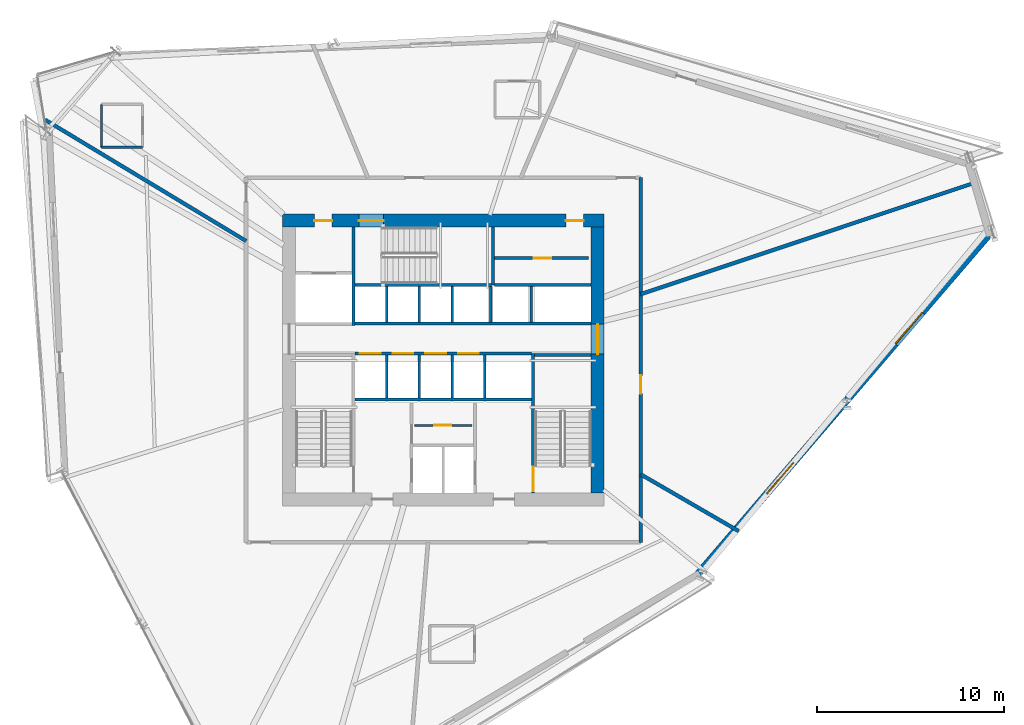
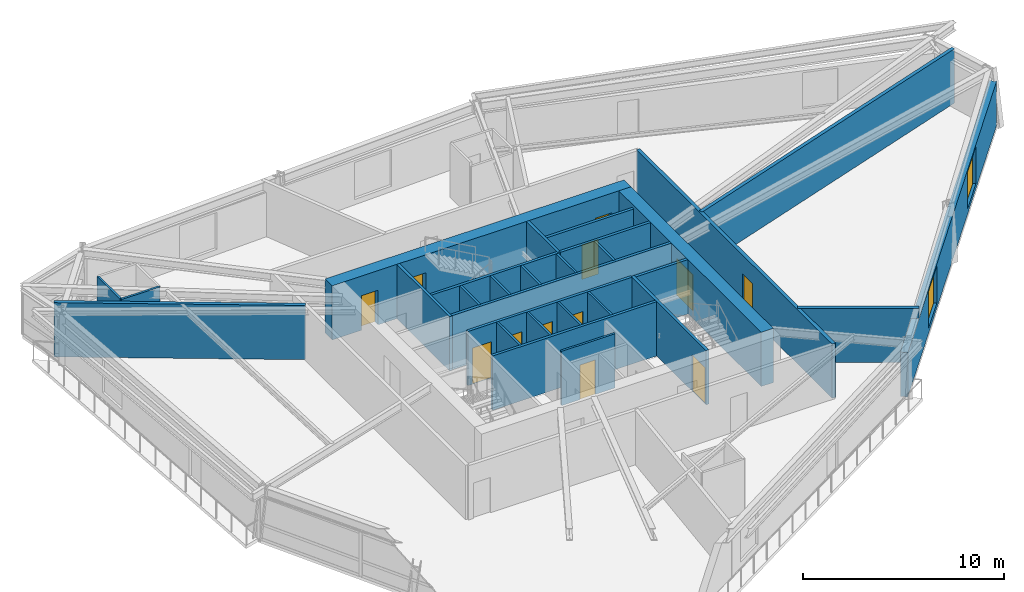
# One storey, part 14 of 19: 29 walls, 12 doors, 2 windows, 14 openings.
"""IFC4 building model written with IfcOpenShell, lengths in metres."""

from ifc_helpers import new_model, si_unit, direction, frame, frame_2d, origin, place, context, subcontext, project, spatial, rectangle, extrude, source, transform, mapped, material, layer, layer_set, type_object, type_shapes, element, fill, save


model = new_model("IFC4")

# Units and contexts
model_context = context("Model", 3, precision=1e-05, world=origin(), true_north=direction((0.0, 1.0)))
body_context = subcontext(model_context, "Body", "Model", "MODEL_VIEW")
ifc_project = project(units=[si_unit("LENGTHUNIT", "METRE"), si_unit("AREAUNIT", "SQUARE_METRE"), si_unit("VOLUMEUNIT", "CUBIC_METRE"), si_unit("PLANEANGLEUNIT", "RADIAN"), si_unit("MASSUNIT", "GRAM", prefix="KILO")], contexts=[model_context])

# Site, building, storey
site_placement = place(None, origin())
site = spatial("IfcSite", under=ifc_project, at=site_placement, CompositionType="ELEMENT")
building_placement = place(site_placement, origin())
building = spatial("IfcBuilding", under=site, at=building_placement, Name="Olszyna Solenne Hotel", CompositionType="ELEMENT")
storey_placement = place(building_placement, frame((0.0, 0.0, 102.14990234375)))
storey = spatial("IfcBuildingStorey", under=building, at=storey_placement, Name="L26", CompositionType="ELEMENT", Elevation=102.14990234375)

# Wall, openings, doors
ifc_material_1 = material(Name="Concrete C60/75", Category="concrete")
ifc_layer_1 = layer(ifc_material_1, 0.699951171875, Name="Concrete C60/75")
ifc_layer_set_1 = layer_set([ifc_layer_1], Name="Concrete C60/75")
wall_type_1 = type_object("IfcWallType", Name="WL-CR700", PredefinedType="SHEAR", material=ifc_layer_set_1)
wall_1_placement = place(storey_placement, frame((29.39990234375, 34.050048828125, 0.0), z_axis=(0.0, 0.0, 1.0), x_axis=(1.0, 0.0, 0.0)))
wall_1 = element("IfcWall", 1, at=wall_1_placement, inside=storey, type_object=wall_type_1, Name="Core shear wall WL-CR700 CRW-L26-N", PredefinedType="SHEAR", context=body_context, shape_type="SweptSolid", body=[
    extrude(rectangle(XDim=17.2001953125, YDim=0.699951171875, at=frame_2d((8.60009765625, 0.0))), origin(), (0.0, 0.0, 1.0), 3.300048828125),
])
opening_1_placement = place(wall_1_placement, frame((1.699951171875, 0.0, 0.0)))
opening_1 = element("IfcOpeningElement", 2, at=opening_1_placement, cuts=wall_1, Name="Opening SVD-L26-01", PredefinedType="OPENING", context=body_context, shape_type="SweptSolid", body=[
    extrude(rectangle(XDim=0.949951171875, YDim=2.10009765625, at=frame_2d((0.47509765625, 1.050048828125))), frame((0.0, 0.35986328125, 0.0), z_axis=(0.0, -1.0, 0.0), x_axis=(1.0, 0.0, 0.0)), (0.0, 0.0, 1.0), 0.719970703125),
])
opening_2_placement = place(wall_1_placement, frame((4.080078125, 0.0, 0.0)))
opening_2 = element("IfcOpeningElement", 3, at=opening_2_placement, cuts=wall_1, Name="Opening STD-L26-03", PredefinedType="OPENING", context=body_context, shape_type="SweptSolid", body=[
    extrude(rectangle(XDim=1.320068359375, YDim=2.199951171875, at=frame_2d((0.66015625, 1.10009765625))), frame((0.0, 0.35986328125, 0.0), z_axis=(0.0, -1.0, 0.0), x_axis=(1.0, 0.0, 0.0)), (0.0, 0.0, 1.0), 0.719970703125),
])
opening_3_placement = place(wall_1_placement, frame((15.14990234375, 0.0, 0.0)))
opening_3 = element("IfcOpeningElement", 4, at=opening_3_placement, cuts=wall_1, Name="Opening SVD-L26-BN", PredefinedType="OPENING", context=body_context, shape_type="SweptSolid", body=[
    extrude(rectangle(XDim=0.949951171875, YDim=2.10009765625, at=frame_2d((0.47509765625, 1.050048828125))), frame((0.0, 0.35986328125, 0.0), z_axis=(0.0, -1.0, 0.0), x_axis=(1.0, 0.0, 0.0)), (0.0, 0.0, 1.0), 0.719970703125),
])
ifc_material_2 = material(Name="Steel S355J2", Category="steel")
door_type_1 = type_object("IfcDoorType", Name="DR-ST1", OperationType="NOTDEFINED", PredefinedType="DOOR", material=ifc_material_2)
shared_shape_1 = source(origin(), body_context, "Body", "SweptSolid", [
    extrude(rectangle(XDim=1.320068359375, YDim=2.199951171875, at=frame_2d((0.66015625, 1.10009765625))), frame((0.0, 0.02490234375, 0.0), z_axis=(0.0, -1.0, 0.0), x_axis=(1.0, 0.0, 0.0)), (0.0, 0.0, 1.0), 0.050048828125),
])
type_shapes(door_type_1, [shared_shape_1])
door_1_placement = place(opening_2_placement, origin())
door_1 = element("IfcDoor", 5, at=door_1_placement, inside=storey, type_object=door_type_1, Name="Pressurised exit stair ST3 fire door STD-L26-03", OperationType="SINGLE_SWING_RIGHT", OverallHeight=2.199951171875, OverallWidth=1.320068359375, PredefinedType="DOOR", context=body_context, shape_type="MappedRepresentation", body=[
    mapped(shared_shape_1, transform((0.0, 0.0, 0.0), x_axis=(1.0, 0.0, 0.0), y_axis=(0.0, 1.0, 0.0), z_axis=(0.0, 0.0, 1.0), scale=1.0)),
])
fill(opening_2, door_1)
door_type_2 = type_object("IfcDoorType", Name="DR-SV1", OperationType="NOTDEFINED", PredefinedType="DOOR", material=ifc_material_2)
shared_shape_2 = source(origin(), body_context, "Body", "SweptSolid", [
    extrude(rectangle(XDim=0.949951171875, YDim=2.10009765625, at=frame_2d((0.47509765625, 1.050048828125))), frame((0.0, 0.02490234375, 0.0), z_axis=(0.0, -1.0, 0.0), x_axis=(1.0, 0.0, 0.0)), (0.0, 0.0, 1.0), 0.050048828125),
])
type_shapes(door_type_2, [shared_shape_2])
door_2_placement = place(opening_1_placement, origin())
door_2 = element("IfcDoor", 6, at=door_2_placement, inside=storey, type_object=door_type_2, Name="Service lift lobby fire door SVD-L26-01", OperationType="SINGLE_SWING_LEFT", OverallHeight=2.10009765625, OverallWidth=0.949951171875, PredefinedType="DOOR", context=body_context, shape_type="MappedRepresentation", body=[
    mapped(shared_shape_2, transform((0.0, 0.0, 0.0), x_axis=(1.0, 0.0, 0.0), y_axis=(0.0, 1.0, 0.0), z_axis=(0.0, 0.0, 1.0), scale=1.0)),
])
fill(opening_1, door_2)
door_3_placement = place(opening_3_placement, origin())
door_3 = element("IfcDoor", 7, at=door_3_placement, inside=storey, type_object=door_type_2, Name="Housekeeping core fire door SVD-L26-BN", OperationType="SINGLE_SWING_LEFT", OverallHeight=2.10009765625, OverallWidth=0.949951171875, PredefinedType="DOOR", context=body_context, shape_type="MappedRepresentation", body=[
    mapped(shared_shape_2, transform((0.0, 0.0, 0.0), x_axis=(1.0, 0.0, 0.0), y_axis=(0.0, 1.0, 0.0), z_axis=(0.0, 0.0, 1.0), scale=1.0)),
])
fill(opening_3, door_3)

# Wall, opening, door
wall_2_placement = place(storey_placement, frame((46.25, 33.699951171875, 0.0), z_axis=(0.0, 0.0, 1.0), x_axis=(0.0, -1.0, 0.0)))
wall_2 = element("IfcWall", 8, at=wall_2_placement, inside=storey, type_object=wall_type_1, Name="Core shear wall WL-CR700 CRW-L26-E", PredefinedType="SHEAR", context=body_context, shape_type="SweptSolid", body=[
    extrude(rectangle(XDim=14.199951171875, YDim=0.699951171875, at=frame_2d((7.10009765625, 0.0))), origin(), (0.0, 0.0, 1.0), 3.300048828125),
])
opening_4_placement = place(wall_2_placement, frame((5.179931640625, 0.0, 0.0)))
opening_4 = element("IfcOpeningElement", 9, at=opening_4_placement, cuts=wall_2, Name="Opening LHD-L26-E", PredefinedType="OPENING", context=body_context, shape_type="SweptSolid", body=[
    extrude(rectangle(XDim=1.60009765625, YDim=2.199951171875, at=frame_2d((0.800048828125, 1.10009765625))), frame((0.0, 0.35986328125, 0.0), z_axis=(0.0, -1.0, 0.0), x_axis=(1.0, 0.0, 0.0)), (0.0, 0.0, 1.0), 0.719970703125),
])
ifc_material_3 = material(Name="Timber hardwood", Category="wood")
door_type_3 = type_object("IfcDoorType", Name="DR-CR1", OperationType="DOUBLE_DOOR_SINGLE_SWING", PredefinedType="DOOR", material=ifc_material_3)
shared_shape_3 = source(origin(), body_context, "Body", "SweptSolid", [
    extrude(rectangle(XDim=1.60009765625, YDim=2.199951171875, at=frame_2d((0.800048828125, 1.10009765625))), frame((0.0, 0.02490234375, 0.0), z_axis=(0.0, -1.0, 0.0), x_axis=(1.0, 0.0, 0.0)), (0.0, 0.0, 1.0), 0.050048828125),
])
type_shapes(door_type_3, [shared_shape_3])
door_4_placement = place(opening_4_placement, origin())
door_4 = element("IfcDoor", 10, at=door_4_placement, inside=storey, type_object=door_type_3, Name="Passenger lift lobby East fire door LHD-L26-E", OperationType="DOUBLE_DOOR_SINGLE_SWING", OverallHeight=2.199951171875, OverallWidth=1.60009765625, PredefinedType="DOOR", context=body_context, shape_type="MappedRepresentation", body=[
    mapped(shared_shape_3, transform((0.0, 0.0, 0.0), x_axis=(1.0, 0.0, 0.0), y_axis=(0.0, 1.0, 0.0), z_axis=(0.0, 0.0, 1.0), scale=1.0)),
])
fill(opening_4, door_4)

# Wall, openings, windows
ifc_material_4 = material(Name="Terracotta cladding on precast concrete C45/55", Category="masonry")
ifc_layer_2 = layer(ifc_material_4, 0.3798828125, Name="Terracotta cladding on precast concrete C45/55")
ifc_layer_set_2 = layer_set([ifc_layer_2], Name="Terracotta cladding on precast concrete C45/55")
wall_type_2 = type_object("IfcWallType", Name="WL-EX380", PredefinedType="SOLIDWALL", material=ifc_layer_set_2)
wall_3_placement = place(storey_placement, frame((67.267578125, 33.409423828125, 0.0), z_axis=(0.0, 0.0, 1.0), x_axis=(-0.651112760172, -0.75898101, 0.0)))
wall_3 = element("IfcWall", 11, at=wall_3_placement, inside=storey, type_object=wall_type_2, Name="Exterior terracotta-precast frame wall WL-EX380 EW-L26-10", PredefinedType="SOLIDWALL", context=body_context, shape_type="SweptSolid", body=[
    extrude(rectangle(XDim=24.018310546875, YDim=0.3798828125, at=frame_2d((12.00927734375, 0.0))), origin(), (0.0, 0.0, 1.0), 2.692138671875),
])
opening_5_placement = place(wall_3_placement, frame((5.625, 0.0, 0.322021484375)))
opening_5 = element("IfcOpeningElement", 12, at=opening_5_placement, cuts=wall_3, Name="Opening WN-L26-145", PredefinedType="OPENING", context=body_context, shape_type="SweptSolid", body=[
    extrude(rectangle(XDim=2.199951171875, YDim=2.25, at=frame_2d((1.10009765625, 1.125))), frame((0.0, 0.199951171875, 0.0), z_axis=(0.0, -1.0, 0.0), x_axis=(1.0, 0.0, 0.0)), (0.0, 0.0, 1.0), 0.39990234375),
])
opening_6_placement = place(wall_3_placement, frame((16.193115234375, 0.0, 0.322021484375)))
opening_6 = element("IfcOpeningElement", 13, at=opening_6_placement, cuts=wall_3, Name="Opening WN-L26-146", PredefinedType="OPENING", context=body_context, shape_type="SweptSolid", body=[
    extrude(rectangle(XDim=2.199951171875, YDim=2.25, at=frame_2d((1.10009765625, 1.125))), frame((0.0, 0.199951171875, 0.0), z_axis=(0.0, -1.0, 0.0), x_axis=(1.0, 0.0, 0.0)), (0.0, 0.0, 1.0), 0.39990234375),
])
ifc_material_5 = material(Name="Low-E triple glazing", Category="glass")
window_type = type_object("IfcWindowType", Name="WN-HT2", PartitioningType="SINGLE_PANEL", PredefinedType="WINDOW", material=ifc_material_5)
shared_shape_4 = source(origin(), body_context, "Body", "SweptSolid", [
    extrude(rectangle(XDim=2.199951171875, YDim=2.25, at=frame_2d((1.10009765625, 1.125))), frame((0.0, 0.030029296875, 0.0), z_axis=(0.0, -1.0, 0.0), x_axis=(1.0, 0.0, 0.0)), (0.0, 0.0, 1.0), 0.06005859375),
])
type_shapes(window_type, [shared_shape_4])
window_1_placement = place(opening_5_placement, origin())
window_1 = element("IfcWindow", 14, at=window_1_placement, inside=storey, type_object=window_type, Name="Exterior facade window WN-HT2 WN-L26-145", OverallHeight=2.25, OverallWidth=2.199951171875, PartitioningType="SINGLE_PANEL", PredefinedType="WINDOW", context=body_context, shape_type="MappedRepresentation", body=[
    mapped(shared_shape_4, transform((0.0, 0.0, 0.0), x_axis=(1.0, 0.0, 0.0), y_axis=(0.0, 1.0, 0.0), z_axis=(0.0, 0.0, 1.0), scale=1.0)),
])
fill(opening_5, window_1)
window_2_placement = place(opening_6_placement, origin())
window_2 = element("IfcWindow", 15, at=window_2_placement, inside=storey, type_object=window_type, Name="Exterior facade window WN-HT2 WN-L26-146", OverallHeight=2.25, OverallWidth=2.199951171875, PartitioningType="SINGLE_PANEL", PredefinedType="WINDOW", context=body_context, shape_type="MappedRepresentation", body=[
    mapped(shared_shape_4, transform((0.0, 0.0, 0.0), x_axis=(1.0, 0.0, 0.0), y_axis=(0.0, 1.0, 0.0), z_axis=(0.0, 0.0, 1.0), scale=1.0)),
])
fill(opening_6, window_2)

# Wall, opening, door
ifc_material_6 = material(Name="Acoustic gypsum partition", Category="gypsum")
ifc_layer_3 = layer(ifc_material_6, 0.125, Name="Acoustic gypsum partition")
ifc_layer_set_3 = layer_set([ifc_layer_3], Name="Acoustic gypsum partition")
wall_type_3 = type_object("IfcWallType", Name="WL-PT125", PredefinedType="PARTITIONING", material=ifc_layer_set_3)
wall_4_placement = place(storey_placement, frame((36.4599609375, 23.10205078125, 0.0), z_axis=(0.0, 0.0, 1.0), x_axis=(1.0, 0.0, 0.0)))
wall_4 = element("IfcWall", 16, at=wall_4_placement, inside=storey, type_object=wall_type_3, Name="Core shaft compartment wall CW-L26-SC2", PredefinedType="PARTITIONING", context=body_context, shape_type="SweptSolid", body=[
    extrude(rectangle(XDim=3.080078125, YDim=0.125, at=frame_2d((1.5400390625, 0.0))), origin(), (0.0, 0.0, 1.0), 3.300048828125),
])
opening_7_placement = place(wall_4_placement, frame((1.050048828125, 0.0, 0.0)))
opening_7 = element("IfcOpeningElement", 17, at=opening_7_placement, cuts=wall_4, Name="Opening SVD-L26-SC2", PredefinedType="OPENING", context=body_context, shape_type="SweptSolid", body=[
    extrude(rectangle(XDim=0.89990234375, YDim=2.10009765625, at=frame_2d((0.449951171875, 1.050048828125))), frame((0.0, 0.072509765625, 0.0), z_axis=(0.0, -1.0, 0.0), x_axis=(1.0, 0.0, 0.0)), (0.0, 0.0, 1.0), 0.14501953125),
])
door_type_4 = type_object("IfcDoorType", Name="DR-WC1", OperationType="NOTDEFINED", PredefinedType="DOOR", material=ifc_material_3)
shared_shape_5 = source(origin(), body_context, "Body", "SweptSolid", [
    extrude(rectangle(XDim=0.89990234375, YDim=2.10009765625, at=frame_2d((0.449951171875, 1.050048828125))), frame((0.0, 0.02490234375, 0.0), z_axis=(0.0, -1.0, 0.0), x_axis=(1.0, 0.0, 0.0)), (0.0, 0.0, 1.0), 0.050048828125),
])
type_shapes(door_type_4, [shared_shape_5])
door_5_placement = place(opening_7_placement, origin())
door_5 = element("IfcDoor", 18, at=door_5_placement, inside=storey, type_object=door_type_4, Name="Butler pantry door SVD-L26-SC2", OperationType="SINGLE_SWING_RIGHT", OverallHeight=2.10009765625, OverallWidth=0.89990234375, PredefinedType="DOOR", context=body_context, shape_type="MappedRepresentation", body=[
    mapped(shared_shape_5, transform((0.0, 0.0, 0.0), x_axis=(1.0, 0.0, 0.0), y_axis=(0.0, 1.0, 0.0), z_axis=(0.0, 0.0, 1.0), scale=1.0)),
])
fill(opening_7, door_5)

# Walls
for number, where, z_axis, x_axis, name in (
    (19, (34.965087890625, 24.56005859375, 0.0), (0.0, 0.0, 1.0), (0.0, 1.0, 0.0), "Core shaft compartment wall CW-L26-DIVS349"),
    (20, (36.715087890625, 24.56005859375, 0.0), (0.0, 0.0, 1.0), (0.0, 1.0, 0.0), "Core shaft compartment wall CW-L26-DIVS367"),
    (21, (38.465087890625, 24.56005859375, 0.0), (0.0, 0.0, 1.0), (0.0, 1.0, 0.0), "Core shaft compartment wall CW-L26-DIVS384"),
    (22, (40.215087890625, 24.56005859375, 0.0), (0.0, 0.0, 1.0), (0.0, 1.0, 0.0), "Core shaft compartment wall CW-L26-DIVS402"),
):
    element("IfcWall", number, at=place(storey_placement, frame(where, z_axis=z_axis, x_axis=x_axis)), inside=storey, type_object=wall_type_3, Name=name, PredefinedType="PARTITIONING", context=body_context, shape_type="SweptSolid", body=[
        extrude(rectangle(XDim=2.31005859375, YDim=0.125, at=frame_2d((1.155029296875, 0.0))), origin(), (0.0, 0.0, 1.0), 3.300048828125),
    ])
for number, where, z_axis, x_axis, name in (
    (23, (34.965087890625, 28.60009765625, 0.0), (0.0, 0.0, 1.0), (0.0, 1.0, 0.0), "Core shaft compartment wall CW-L26-DIVN349"),
    (24, (36.715087890625, 28.60009765625, 0.0), (0.0, 0.0, 1.0), (0.0, 1.0, 0.0), "Core shaft compartment wall CW-L26-DIVN367"),
    (25, (38.465087890625, 28.60009765625, 0.0), (0.0, 0.0, 1.0), (0.0, 1.0, 0.0), "Core shaft compartment wall CW-L26-DIVN384"),
    (26, (40.52490234375, 28.60009765625, 0.0), (0.0, 0.0, 1.0), (0.0, 1.0, 0.0), "Core shaft compartment wall CW-L26-DIVEX405"),
    (27, (42.699951171875, 28.60009765625, 0.0), (0.0, 0.0, 1.0), (0.0, 1.0, 0.0), "Core shaft compartment wall CW-L26-DIVEX427"),
):
    element("IfcWall", number, at=place(storey_placement, frame(where, z_axis=z_axis, x_axis=x_axis)), inside=storey, type_object=wall_type_3, Name=name, PredefinedType="PARTITIONING", context=body_context, shape_type="SweptSolid", body=[
        extrude(rectangle(XDim=1.919921875, YDim=0.125, at=frame_2d((0.9599609375, 0.0))), origin(), (0.0, 0.0, 1.0), 3.300048828125),
    ])
wall_5_placement = place(storey_placement, frame((19.714111328125, 40.27099609375, 0.0), z_axis=(0.0, 0.0, 1.0), x_axis=(0.0, -1.0, 0.0)))
element("IfcWall", 28, at=wall_5_placement, inside=storey, type_object=wall_type_3, Name="Interior acoustic partition WL-PT125 PW-L26-1511", PredefinedType="PARTITIONING", context=body_context, shape_type="SweptSolid", body=[
    extrude(rectangle(XDim=2.300048828125, YDim=0.125, at=frame_2d((1.14990234375, 0.0))), origin(), (0.0, 0.0, 1.0), 3.300048828125),
])
wall_6_placement = place(storey_placement, frame((19.714111328125, 37.970947265625, 0.0), z_axis=(0.0, 0.0, 1.0), x_axis=(1.0, 0.0, 0.0)))
element("IfcWall", 29, at=wall_6_placement, inside=storey, type_object=wall_type_3, Name="Interior acoustic partition WL-PT125 PW-L26-1512", PredefinedType="PARTITIONING", context=body_context, shape_type="SweptSolid", body=[
    extrude(rectangle(XDim=2.199951171875, YDim=0.125, at=frame_2d((1.10009765625, 0.0))), origin(), (0.0, 0.0, 1.0), 3.300048828125),
])

# Wall, opening, door
ifc_layer_4 = layer(ifc_material_6, 0.159912109375, Name="Acoustic gypsum partition")
ifc_layer_set_4 = layer_set([ifc_layer_4], Name="Acoustic gypsum partition")
wall_type_4 = type_object("IfcWallType", Name="WL-PT160", PredefinedType="PARTITIONING", material=ifc_layer_set_4)
wall_7_placement = place(storey_placement, frame((42.800048828125, 26.9599609375, 0.0), z_axis=(0.0, 0.0, 1.0), x_axis=(0.0, -1.0, 0.0)))
wall_7 = element("IfcWall", 30, at=wall_7_placement, inside=storey, type_object=wall_type_4, Name="Core shaft compartment wall CW-L26-ST2W", PredefinedType="PARTITIONING", context=body_context, shape_type="SweptSolid", body=[
    extrude(rectangle(XDim=7.4599609375, YDim=0.159912109375, at=frame_2d((3.72998046875, 0.0))), origin(), (0.0, 0.0, 1.0), 3.300048828125),
])
opening_8_placement = place(wall_7_placement, frame((6.06005859375, 0.0, 0.0)))
opening_8 = element("IfcOpeningElement", 31, at=opening_8_placement, cuts=wall_7, Name="Opening STD-L26-02", PredefinedType="OPENING", context=body_context, shape_type="SweptSolid", body=[
    extrude(rectangle(XDim=1.320068359375, YDim=2.199951171875, at=frame_2d((0.66015625, 1.10009765625))), frame((0.0, 0.08984375, 0.0), z_axis=(0.0, -1.0, 0.0), x_axis=(1.0, 0.0, 0.0)), (0.0, 0.0, 1.0), 0.179931640625),
])
door_6_placement = place(opening_8_placement, origin())
door_6 = element("IfcDoor", 32, at=door_6_placement, inside=storey, type_object=door_type_1, Name="Pressurised exit stair ST2 fire door STD-L26-02", OperationType="SINGLE_SWING_RIGHT", OverallHeight=2.199951171875, OverallWidth=1.320068359375, PredefinedType="DOOR", context=body_context, shape_type="MappedRepresentation", body=[
    mapped(shared_shape_1, transform((0.0, 0.0, 0.0), x_axis=(1.0, 0.0, 0.0), y_axis=(0.0, 1.0, 0.0), z_axis=(0.0, 0.0, 1.0), scale=1.0)),
])
fill(opening_8, door_6)

# Walls
wall_8_placement = place(storey_placement, frame((42.8798828125, 26.8798828125, 0.0), z_axis=(0.0, 0.0, 1.0), x_axis=(1.0, 0.0, 0.0)))
element("IfcWall", 33, at=wall_8_placement, inside=storey, type_object=wall_type_4, Name="Core shaft compartment wall CW-L26-ST2N", PredefinedType="PARTITIONING", context=body_context, shape_type="SweptSolid", body=[
    extrude(rectangle(XDim=3.02001953125, YDim=0.159912109375, at=frame_2d((1.510009765625, 0.0))), origin(), (0.0, 0.0, 1.0), 3.300048828125),
])
wall_9_placement = place(storey_placement, frame((33.280029296875, 30.60009765625, 0.0), z_axis=(0.0, 0.0, 1.0), x_axis=(1.0, 0.0, 0.0)))
element("IfcWall", 34, at=wall_9_placement, inside=storey, type_object=wall_type_4, Name="Core shaft compartment wall CW-L26-ST3S", PredefinedType="PARTITIONING", context=body_context, shape_type="SweptSolid", body=[
    extrude(rectangle(XDim=7.300048828125, YDim=0.159912109375, at=frame_2d((3.64990234375, 0.0))), origin(), (0.0, 0.0, 1.0), 3.300048828125),
])
wall_10_placement = place(storey_placement, frame((40.659912109375, 30.60009765625, 0.0), z_axis=(0.0, 0.0, 1.0), x_axis=(0.0, 1.0, 0.0)))
element("IfcWall", 35, at=wall_10_placement, inside=storey, type_object=wall_type_4, Name="Core shaft compartment wall CW-L26-ST3E", PredefinedType="PARTITIONING", context=body_context, shape_type="SweptSolid", body=[
    extrude(rectangle(XDim=3.099853515625, YDim=0.159912109375, at=frame_2d((1.5498046875, 0.0))), origin(), (0.0, 0.0, 1.0), 3.300048828125),
])
wall_11_placement = place(storey_placement, frame((33.280029296875, 24.489990234375, 0.0), z_axis=(0.0, 0.0, 1.0), x_axis=(1.0, 0.0, 0.0)))
element("IfcWall", 36, at=wall_11_placement, inside=storey, type_object=wall_type_4, Name="Core shaft compartment wall CW-L26-FFBN", PredefinedType="PARTITIONING", context=body_context, shape_type="SweptSolid", body=[
    extrude(rectangle(XDim=9.43994140625, YDim=0.159912109375, at=frame_2d((4.719970703125, 0.0))), origin(), (0.0, 0.0, 1.0), 3.300048828125),
])
wall_12_placement = place(storey_placement, frame((33.199951171875, 28.43994140625, 0.0), z_axis=(0.0, 0.0, 1.0), x_axis=(0.0, 1.0, 0.0)))
element("IfcWall", 37, at=wall_12_placement, inside=storey, type_object=wall_type_4, Name="Core shaft compartment wall CW-L26-SV1E", PredefinedType="PARTITIONING", context=body_context, shape_type="SweptSolid", body=[
    extrude(rectangle(XDim=5.260009765625, YDim=0.159912109375, at=frame_2d((2.6298828125, 0.0))), origin(), (0.0, 0.0, 1.0), 3.300048828125),
])

# Wall, openings, doors
wall_13_placement = place(storey_placement, frame((33.280029296875, 26.949951171875, 0.0), z_axis=(0.0, 0.0, 1.0), x_axis=(1.0, 0.0, 0.0)))
wall_13 = element("IfcWall", 38, at=wall_13_placement, inside=storey, type_object=wall_type_4, Name="Core shaft compartment wall CW-L26-LRS", PredefinedType="PARTITIONING", context=body_context, shape_type="SweptSolid", body=[
    extrude(rectangle(XDim=9.43994140625, YDim=0.159912109375, at=frame_2d((4.719970703125, 0.0))), origin(), (0.0, 0.0, 1.0), 3.300048828125),
])
opening_9_placement = place(wall_13_placement, frame((0.260009765625, 0.0, 0.0)))
opening_9 = element("IfcOpeningElement", 39, at=opening_9_placement, cuts=wall_13, Name="Opening LD-L26-PL1", PredefinedType="OPENING", context=body_context, shape_type="SweptSolid", body=[
    extrude(rectangle(XDim=1.10009765625, YDim=2.199951171875, at=frame_2d((0.550048828125, 1.10009765625))), frame((0.0, 0.08984375, 0.0), z_axis=(0.0, -1.0, 0.0), x_axis=(1.0, 0.0, 0.0)), (0.0, 0.0, 1.0), 0.179931640625),
])
opening_10_placement = place(wall_13_placement, frame((2.010009765625, 0.0, 0.0)))
opening_10 = element("IfcOpeningElement", 40, at=opening_10_placement, cuts=wall_13, Name="Opening LD-L26-PL2", PredefinedType="OPENING", context=body_context, shape_type="SweptSolid", body=[
    extrude(rectangle(XDim=1.10009765625, YDim=2.199951171875, at=frame_2d((0.550048828125, 1.10009765625))), frame((0.0, 0.08984375, 0.0), z_axis=(0.0, -1.0, 0.0), x_axis=(1.0, 0.0, 0.0)), (0.0, 0.0, 1.0), 0.179931640625),
])
opening_11_placement = place(wall_13_placement, frame((3.760009765625, 0.0, 0.0)))
opening_11 = element("IfcOpeningElement", 41, at=opening_11_placement, cuts=wall_13, Name="Opening LD-L26-PL3", PredefinedType="OPENING", context=body_context, shape_type="SweptSolid", body=[
    extrude(rectangle(XDim=1.10009765625, YDim=2.199951171875, at=frame_2d((0.550048828125, 1.10009765625))), frame((0.0, 0.08984375, 0.0), z_axis=(0.0, -1.0, 0.0), x_axis=(1.0, 0.0, 0.0)), (0.0, 0.0, 1.0), 0.179931640625),
])
opening_12_placement = place(wall_13_placement, frame((5.510009765625, 0.0, 0.0)))
opening_12 = element("IfcOpeningElement", 42, at=opening_12_placement, cuts=wall_13, Name="Opening LD-L26-PL4", PredefinedType="OPENING", context=body_context, shape_type="SweptSolid", body=[
    extrude(rectangle(XDim=1.10009765625, YDim=2.199951171875, at=frame_2d((0.550048828125, 1.10009765625))), frame((0.0, 0.08984375, 0.0), z_axis=(0.0, -1.0, 0.0), x_axis=(1.0, 0.0, 0.0)), (0.0, 0.0, 1.0), 0.179931640625),
])
door_type_5 = type_object("IfcDoorType", Name="LD-P1", OperationType="DOUBLE_DOOR_SLIDING", PredefinedType="DOOR", material=ifc_material_2)
shared_shape_6 = source(origin(), body_context, "Body", "SweptSolid", [
    extrude(rectangle(XDim=1.10009765625, YDim=2.199951171875, at=frame_2d((0.550048828125, 1.10009765625))), frame((0.0, 0.02490234375, 0.0), z_axis=(0.0, -1.0, 0.0), x_axis=(1.0, 0.0, 0.0)), (0.0, 0.0, 1.0), 0.050048828125),
])
type_shapes(door_type_5, [shared_shape_6])
door_7_placement = place(opening_9_placement, origin())
door_7 = element("IfcDoor", 43, at=door_7_placement, inside=storey, type_object=door_type_5, Name="Passenger lift PL1 sliding landing door LD-L26-PL1", OperationType="DOUBLE_DOOR_SLIDING", OverallHeight=2.199951171875, OverallWidth=1.10009765625, PredefinedType="DOOR", context=body_context, shape_type="MappedRepresentation", body=[
    mapped(shared_shape_6, transform((0.0, 0.0, 0.0), x_axis=(1.0, 0.0, 0.0), y_axis=(0.0, 1.0, 0.0), z_axis=(0.0, 0.0, 1.0), scale=1.0)),
])
fill(opening_9, door_7)
door_8_placement = place(opening_10_placement, origin())
door_8 = element("IfcDoor", 44, at=door_8_placement, inside=storey, type_object=door_type_5, Name="Passenger lift PL2 sliding landing door LD-L26-PL2", OperationType="DOUBLE_DOOR_SLIDING", OverallHeight=2.199951171875, OverallWidth=1.10009765625, PredefinedType="DOOR", context=body_context, shape_type="MappedRepresentation", body=[
    mapped(shared_shape_6, transform((0.0, 0.0, 0.0), x_axis=(1.0, 0.0, 0.0), y_axis=(0.0, 1.0, 0.0), z_axis=(0.0, 0.0, 1.0), scale=1.0)),
])
fill(opening_10, door_8)
door_9_placement = place(opening_11_placement, origin())
door_9 = element("IfcDoor", 45, at=door_9_placement, inside=storey, type_object=door_type_5, Name="Passenger lift PL3 sliding landing door LD-L26-PL3", OperationType="DOUBLE_DOOR_SLIDING", OverallHeight=2.199951171875, OverallWidth=1.10009765625, PredefinedType="DOOR", context=body_context, shape_type="MappedRepresentation", body=[
    mapped(shared_shape_6, transform((0.0, 0.0, 0.0), x_axis=(1.0, 0.0, 0.0), y_axis=(0.0, 1.0, 0.0), z_axis=(0.0, 0.0, 1.0), scale=1.0)),
])
fill(opening_11, door_9)
door_10_placement = place(opening_12_placement, origin())
door_10 = element("IfcDoor", 46, at=door_10_placement, inside=storey, type_object=door_type_5, Name="Passenger lift PL4 sliding landing door LD-L26-PL4", OperationType="DOUBLE_DOOR_SLIDING", OverallHeight=2.199951171875, OverallWidth=1.10009765625, PredefinedType="DOOR", context=body_context, shape_type="MappedRepresentation", body=[
    mapped(shared_shape_6, transform((0.0, 0.0, 0.0), x_axis=(1.0, 0.0, 0.0), y_axis=(0.0, 1.0, 0.0), z_axis=(0.0, 0.0, 1.0), scale=1.0)),
])
fill(opening_12, door_10)

# Walls
wall_14_placement = place(storey_placement, frame((33.280029296875, 28.5400390625, 0.0), z_axis=(0.0, 0.0, 1.0), x_axis=(1.0, 0.0, 0.0)))
element("IfcWall", 47, at=wall_14_placement, inside=storey, type_object=wall_type_4, Name="Core shaft compartment wall CW-L26-LRN", PredefinedType="PARTITIONING", context=body_context, shape_type="SweptSolid", body=[
    extrude(rectangle(XDim=12.619873046875, YDim=0.159912109375, at=frame_2d((6.31005859375, 0.0))), origin(), (0.0, 0.0, 1.0), 3.300048828125),
])
wall_15_placement = place(storey_placement, frame((40.719970703125, 30.60009765625, 0.0), z_axis=(0.0, 0.0, 1.0), x_axis=(1.0, 0.0, 0.0)))
element("IfcWall", 48, at=wall_15_placement, inside=storey, type_object=wall_type_4, Name="Core shaft compartment wall CW-L26-LRNTOP", PredefinedType="PARTITIONING", context=body_context, shape_type="SweptSolid", body=[
    extrude(rectangle(XDim=5.179931640625, YDim=0.159912109375, at=frame_2d((2.58984375, 0.0))), origin(), (0.0, 0.0, 1.0), 3.300048828125),
])

# Wall, opening, door
wall_16_placement = place(storey_placement, frame((40.719970703125, 32.0458984375, 0.0), z_axis=(0.0, 0.0, 1.0), x_axis=(1.0, 0.0, 0.0)))
wall_16 = element("IfcWall", 49, at=wall_16_placement, inside=storey, type_object=wall_type_4, Name="Core shaft compartment wall CW-L26-BOH2", PredefinedType="PARTITIONING", context=body_context, shape_type="SweptSolid", body=[
    extrude(rectangle(XDim=5.030029296875, YDim=0.159912109375, at=frame_2d((2.51513671875, 0.0))), origin(), (0.0, 0.0, 1.0), 3.300048828125),
])
opening_13_placement = place(wall_16_placement, frame((2.10009765625, 0.0, 0.0)))
opening_13 = element("IfcOpeningElement", 50, at=opening_13_placement, cuts=wall_16, Name="Opening SVD-L26-BI2", PredefinedType="OPENING", context=body_context, shape_type="SweptSolid", body=[
    extrude(rectangle(XDim=0.949951171875, YDim=2.10009765625, at=frame_2d((0.47509765625, 1.050048828125))), frame((0.0, 0.08984375, 0.0), z_axis=(0.0, -1.0, 0.0), x_axis=(1.0, 0.0, 0.0)), (0.0, 0.0, 1.0), 0.179931640625),
])
door_11_placement = place(opening_13_placement, origin())
door_11 = element("IfcDoor", 51, at=door_11_placement, inside=storey, type_object=door_type_2, Name="BOH inter-room fire door SVD-L26-BI2", OperationType="SINGLE_SWING_RIGHT", OverallHeight=2.10009765625, OverallWidth=0.949951171875, PredefinedType="DOOR", context=body_context, shape_type="MappedRepresentation", body=[
    mapped(shared_shape_2, transform((0.0, 0.0, 0.0), x_axis=(1.0, 0.0, 0.0), y_axis=(0.0, 1.0, 0.0), z_axis=(0.0, 0.0, 1.0), scale=1.0)),
])
fill(opening_13, door_11)

# Walls
ifc_layer_5 = layer(ifc_material_6, 0.199951171875, Name="Acoustic gypsum partition")
ifc_layer_set_5 = layer_set([ifc_layer_5], Name="Acoustic gypsum partition")
wall_type_5 = type_object("IfcWallType", Name="WL-PT200", PredefinedType="PARTITIONING", material=ifc_layer_set_5)
wall_17_placement = place(storey_placement, frame((27.449951171875, 32.964111328125, 0.0), z_axis=(0.0, 0.0, 1.0), x_axis=(-0.856263872534, 0.516538653533, 0.0)))
element("IfcWall", 52, at=wall_17_placement, inside=storey, type_object=wall_type_5, Name="Interior acoustic partition WL-PT200 PW-L26-1495", PredefinedType="PARTITIONING", context=body_context, shape_type="SweptSolid", body=[
    extrude(rectangle(XDim=12.556884765625, YDim=0.199951171875, at=frame_2d((6.2783203125, 0.0))), origin(), (0.0, 0.0, 1.0), 3.300048828125),
])
wall_18_placement = place(storey_placement, frame((48.550048828125, 20.487060546875, 0.0), z_axis=(0.0, 0.0, 1.0), x_axis=(0.865269800029, -0.501306466304, 0.0)))
element("IfcWall", 53, at=wall_18_placement, inside=storey, type_object=wall_type_5, Name="Interior acoustic partition WL-PT200 PW-L26-1497", PredefinedType="PARTITIONING", context=body_context, shape_type="SweptSolid", body=[
    extrude(rectangle(XDim=6.054443359375, YDim=0.199951171875, at=frame_2d((3.02734375, 0.0))), origin(), (0.0, 0.0, 1.0), 3.300048828125),
])
wall_19_placement = place(storey_placement, frame((48.550048828125, 30.119873046875, 0.0), z_axis=(0.0, 0.0, 1.0), x_axis=(0.948597047754, 0.31648639938, 0.0)))
element("IfcWall", 54, at=wall_19_placement, inside=storey, type_object=wall_type_5, Name="Interior acoustic partition WL-PT200 PW-L26-1498", PredefinedType="PARTITIONING", context=body_context, shape_type="SweptSolid", body=[
    extrude(rectangle(XDim=18.972900390625, YDim=0.199951171875, at=frame_2d((9.486328125, 0.0))), origin(), (0.0, 0.0, 1.0), 3.300048828125),
])

# Wall, opening, door
wall_20_placement = place(storey_placement, frame((48.550048828125, 16.85009765625, 0.0), z_axis=(0.0, 0.0, 1.0), x_axis=(0.0, 1.0, 0.0)))
wall_20 = element("IfcWall", 55, at=wall_20_placement, inside=storey, type_object=wall_type_5, Name="Interior acoustic partition WL-PT200 PW-L26-1516", PredefinedType="PARTITIONING", context=body_context, shape_type="SweptSolid", body=[
    extrude(rectangle(XDim=19.5, YDim=0.199951171875, at=frame_2d((9.75, 0.0))), origin(), (0.0, 0.0, 1.0), 3.300048828125),
])
opening_14_placement = place(wall_20_placement, frame((7.950927734375, 0.0, 0.0)))
opening_14 = element("IfcOpeningElement", 56, at=opening_14_placement, cuts=wall_20, Name="Opening DR-L26-0361", PredefinedType="OPENING", context=body_context, shape_type="SweptSolid", body=[
    extrude(rectangle(XDim=0.97998046875, YDim=2.14990234375, at=frame_2d((0.489990234375, 1.074951171875))), frame((0.0, 0.10986328125, 0.0), z_axis=(0.0, -1.0, 0.0), x_axis=(1.0, 0.0, 0.0)), (0.0, 0.0, 1.0), 0.219970703125),
])
door_type_6 = type_object("IfcDoorType", Name="DR-RM1", OperationType="NOTDEFINED", PredefinedType="DOOR", material=ifc_material_3)
shared_shape_7 = source(origin(), body_context, "Body", "SweptSolid", [
    extrude(rectangle(XDim=0.97998046875, YDim=2.14990234375, at=frame_2d((0.489990234375, 1.074951171875))), frame((0.0, 0.02490234375, 0.0), z_axis=(0.0, -1.0, 0.0), x_axis=(1.0, 0.0, 0.0)), (0.0, 0.0, 1.0), 0.050048828125),
])
type_shapes(door_type_6, [shared_shape_7])
door_12_placement = place(opening_14_placement, origin())
door_12 = element("IfcDoor", 57, at=door_12_placement, inside=storey, type_object=door_type_6, Name="Wellness Spa Studio Entrance Door DR-L26-0361", OperationType="SINGLE_SWING_LEFT", OverallHeight=2.14990234375, OverallWidth=0.97998046875, PredefinedType="DOOR", context=body_context, shape_type="MappedRepresentation", body=[
    mapped(shared_shape_7, transform((0.0, 0.0, 0.0), x_axis=(1.0, 0.0, 0.0), y_axis=(0.0, 1.0, 0.0), z_axis=(0.0, 0.0, 1.0), scale=1.0)),
])
fill(opening_14, door_12)

save(model, "model.ifc")
